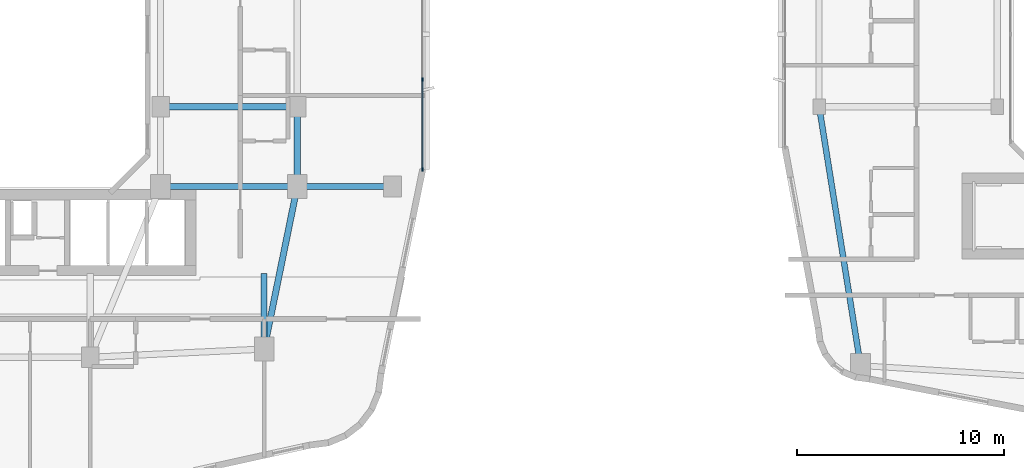
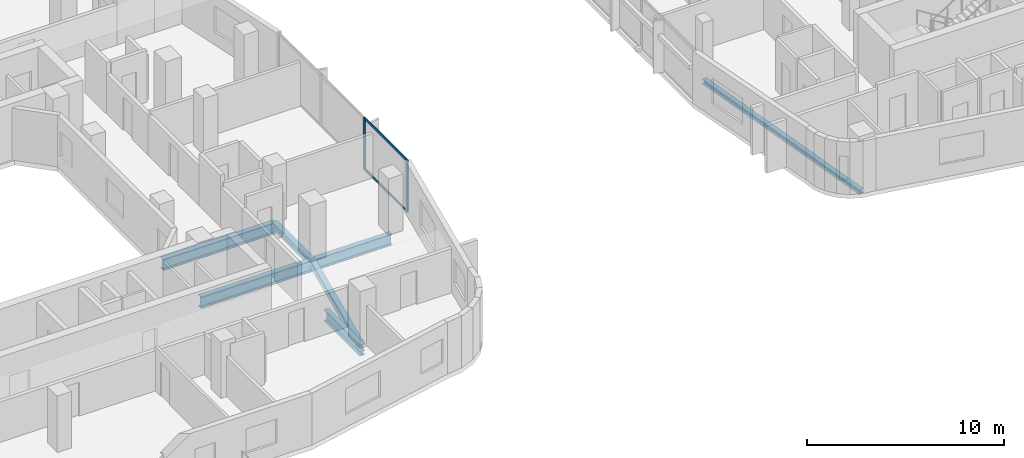
# One storey, part 3 of 24: 7 beams, 4 members, 1 element without a shape of its own.
"""IFC4 building model written with IfcOpenShell, lengths in metres."""

import ifcopenshell
import ifcopenshell.guid

model = None  # the IFC model being written
_history = None  # IfcOwnerHistory: only IFC2X3 demands one
_inside = {}  # id of a spatial element -> (the spatial element, [elements in it])
_under = {}  # id of a project, library or spatial element -> (it, [spatial elements below it])
_declared = {}  # id of a project -> (the project, [libraries it declares])
_typed = {}  # id of a type object -> (the type object, [elements of that type])
_made_of = {}  # id of a material, layer set ... -> (it, [elements and type objects made of it])


def new_model(schema):
    """Start an empty IFC model of exactly this schema.

    Asked for "IFC4X3", IfcOpenShell would pick the latest addendum, in which some entities
    have other attributes; the version numbers below select the first issue.
    IFC2X3 requires an IfcOwnerHistory on every rooted entity: one is made here for all.
    """
    global model, _history
    if schema == "IFC4X3":
        model = ifcopenshell.file(schema_version=(4, 3, 0, 0))
    else:
        model = ifcopenshell.file(schema=schema)
    _inside.clear()
    _under.clear()
    _declared.clear()
    _typed.clear()
    _made_of.clear()
    _history = None
    if model.schema == "IFC2X3":
        org = make("IfcOrganization", Name="unknown")
        user = make(
            "IfcPersonAndOrganization",
            ThePerson=make("IfcPerson", FamilyName="unknown"),
            TheOrganization=org,
        )
        app = make(
            "IfcApplication",
            ApplicationDeveloper=org,
            Version="unknown",
            ApplicationFullName="unknown",
            ApplicationIdentifier="unknown",
        )
        _history = make(
            "IfcOwnerHistory",
            OwningUser=user,
            OwningApplication=app,
            ChangeAction="ADDED",
            CreationDate=0,
        )
    return model


def make(cls, **values):
    """One entity of the class cls with the attributes given. An attribute that is None is left unset."""
    return model.create_entity(
        cls, **{name: value for name, value in values.items() if value is not None}
    )


def rooted(cls, **values):
    """An entity with a GlobalId (a new one), such as an element, a storey or a relation."""
    return make(cls, GlobalId=ifcopenshell.guid.new(), OwnerHistory=_history, **values)


def si_unit(unit_type, name, prefix=None):
    """IfcSIUnit, for example si_unit("LENGTHUNIT", "METRE", prefix="MILLI")."""
    return make("IfcSIUnit", UnitType=unit_type, Prefix=prefix, Name=name)


def derived_unit(unit_type, elements):
    """IfcDerivedUnit: a product of units, each with its exponent."""
    return make(
        "IfcDerivedUnit",
        Elements=[
            make("IfcDerivedUnitElement", Unit=unit, Exponent=power)
            for unit, power in elements
        ],
        UnitType=unit_type,
    )


def assignment(units):
    """IfcUnitAssignment: the units of a project."""
    return None if units is None else make("IfcUnitAssignment", Units=units)


def point(xyz):
    """IfcCartesianPoint."""
    return None if xyz is None else make("IfcCartesianPoint", Coordinates=xyz)


def direction(xyz):
    """IfcDirection."""
    return None if xyz is None else make("IfcDirection", DirectionRatios=xyz)


def frame(location, z_axis=None, x_axis=None):
    """IfcAxis2Placement3D, a coordinate frame: its origin and axes. An axis left out is left unset."""
    return make(
        "IfcAxis2Placement3D",
        Location=point(location),
        Axis=direction(z_axis),
        RefDirection=direction(x_axis),
    )


def frame_2d(location, x_axis=None):
    """IfcAxis2Placement2D, a coordinate frame in the plane: its origin and x axis."""
    return make(
        "IfcAxis2Placement2D", Location=point(location), RefDirection=direction(x_axis)
    )


def origin():
    """The frame at (0, 0, 0) with its axes left unset."""
    return frame((0.0, 0.0, 0.0))


def origin_2d():
    """The frame at (0, 0) in the plane with its x axis left unset."""
    return frame_2d((0.0, 0.0))


def place(relative_to, where):
    """IfcLocalPlacement: puts the frame where relative to a parent placement (None: the world)."""
    return make(
        "IfcLocalPlacement", PlacementRelTo=relative_to, RelativePlacement=where
    )


def context(
    kind, dimensions, precision=None, world=None, true_north=None, identifier=None
):
    """IfcGeometricRepresentationContext, for example the 3D "Model" context."""
    return make(
        "IfcGeometricRepresentationContext",
        ContextIdentifier=identifier,
        ContextType=kind,
        CoordinateSpaceDimension=dimensions,
        Precision=precision,
        WorldCoordinateSystem=world,
        TrueNorth=true_north,
    )


def subcontext(parent, identifier, kind, view, scale=None):
    """IfcGeometricRepresentationSubContext, for example "Body" below "Model"."""
    return make(
        "IfcGeometricRepresentationSubContext",
        ContextIdentifier=identifier,
        ContextType=kind,
        ParentContext=parent,
        TargetScale=scale,
        TargetView=view,
    )


def project(units=None, contexts=None):
    """IfcProject with its units and contexts."""
    return rooted(
        "IfcProject",
        Name="project",
        RepresentationContexts=contexts,
        UnitsInContext=assignment(units),
    )


def spatial(cls, under=None, at=None, **own):
    """A site, building, storey or space (cls), placed at a placement, below another one or the project."""
    s = rooted(cls, ObjectPlacement=at, **own)
    if under is not None:
        _under.setdefault(under.id(), (under, []))[1].append(s)
    return s


def profile(cls, at=None, kind="AREA", **sizes):
    """A parametric profile (cls). Its sizes go by their IFC names, for example OverallWidth=200.0."""
    return make(cls, ProfileType=kind, Position=at, **sizes)


def rectangle(**sizes):
    """IfcRectangleProfileDef."""
    return profile("IfcRectangleProfileDef", **sizes)


def i_section(**sizes):
    """IfcIShapeProfileDef."""
    return profile("IfcIShapeProfileDef", **sizes)


def extrude(swept, where, along, depth):
    """IfcExtrudedAreaSolid: the profile swept, set in the frame where, extruded along a direction by depth."""
    return make(
        "IfcExtrudedAreaSolid",
        SweptArea=swept,
        Position=where,
        ExtrudedDirection=direction(along),
        Depth=depth,
    )


def shape(context_of_items, identifier, shape_type, items):
    """IfcShapeRepresentation: the items that make up one representation, for example the "Body"."""
    return make(
        "IfcShapeRepresentation",
        ContextOfItems=context_of_items,
        RepresentationIdentifier=identifier,
        RepresentationType=shape_type,
        Items=items,
    )


def material(Name=None, Category=None):
    """IfcMaterial."""
    return make("IfcMaterial", Name=Name, Category=Category)


def layer(
    of_material, thickness, ventilated=None, Name=None, Category=None, Priority=None
):
    """IfcMaterialLayer: one layer of a wall or slab, of a material (None: an air gap)."""
    return make(
        "IfcMaterialLayer",
        Material=of_material,
        LayerThickness=thickness,
        IsVentilated=ventilated,
        Name=Name,
        Category=Category,
        Priority=Priority,
    )


def layer_set(layers, Name=None):
    """IfcMaterialLayerSet."""
    return make("IfcMaterialLayerSet", MaterialLayers=layers, LayerSetName=Name)


def material_profile(
    of_material, cross_section, Name=None, Category=None, Priority=None
):
    """IfcMaterialProfile: a cross section and its material."""
    return make(
        "IfcMaterialProfile",
        Name=Name,
        Material=of_material,
        Profile=cross_section,
        Priority=Priority,
        Category=Category,
    )


def profile_set(profiles, Name=None, composite=None):
    """IfcMaterialProfileSet."""
    return make(
        "IfcMaterialProfileSet",
        Name=Name,
        MaterialProfiles=profiles,
        CompositeProfile=composite,
    )


def made_of(thing, what):
    """Note that an element or type object is made of a material, layer set ...; save() writes the relation."""
    if what is not None:
        _made_of.setdefault(what.id(), (what, []))[1].append(thing)
    return thing


def type_object(cls, material=None, **own):
    """A type object (cls), such as IfcWallType, which elements share."""
    return made_of(rooted(cls, **own), material)


def element(
    cls,
    number,
    at=None,
    inside=None,
    cuts=None,
    type_object=None,
    material=None,
    context=None,
    identifier="Body",
    shape_type=None,
    held_by="IfcProductDefinitionShape",
    body=None,
    shapes=None,
    **own,
):
    """One element of the class cls, such as IfcWall. Its Tag is "e" and its number.

    at: its placement. inside: the storey or other place that contains it. cuts: it is an
    opening in that element (IfcRelVoidsElement). A single representation is given by context,
    identifier, shape_type and body (its items); several are given by shapes. held_by: the class
    of the entity that holds the representations. save() writes the other relations.
    """
    e = rooted(cls, Tag="e%d" % number, ObjectPlacement=at, **own)
    if body is not None:
        shapes = [shape(context, identifier, shape_type, body)]
    if shapes is not None:
        e.Representation = make(held_by, Representations=shapes)
    if inside is not None:
        _inside.setdefault(inside.id(), (inside, []))[1].append(e)
    if cuts is not None:
        rooted(
            "IfcRelVoidsElement", RelatingBuildingElement=cuts, RelatedOpeningElement=e
        )
    if type_object is not None:
        _typed.setdefault(type_object.id(), (type_object, []))[1].append(e)
    return made_of(e, material)


def aggregate(whole, parts):
    """IfcRelAggregates: a whole, such as a stair, and the parts it consists of."""
    return rooted("IfcRelAggregates", RelatingObject=whole, RelatedObjects=parts)


def save(model, path):
    """Write the relations noted so far, then the file.

    IfcRelAggregates (storeys below a building ...), IfcRelContainedInSpatialStructure (elements
    in a storey), IfcRelDefinesByType, IfcRelAssociatesMaterial and IfcRelDeclares: one each for
    every whole, place, type object, material and project.
    """
    for whole, parts in _under.values():
        aggregate(whole, parts)
    for where, things in _inside.values():
        rooted(
            "IfcRelContainedInSpatialStructure",
            RelatedElements=things,
            RelatingStructure=where,
        )
    for kind, things in _typed.values():
        rooted("IfcRelDefinesByType", RelatedObjects=things, RelatingType=kind)
    for what, things in _made_of.values():
        rooted("IfcRelAssociatesMaterial", RelatedObjects=things, RelatingMaterial=what)
    for by, libraries in _declared.values():
        rooted("IfcRelDeclares", RelatingContext=by, RelatedDefinitions=libraries)
    model.write(path)


model = new_model("IFC4")

# Units and contexts
model_context = context("Model", 3, precision=1e-05, world=origin(), true_north=direction((0.0, 1.0)))
body_context = subcontext(model_context, "Body", "Model", "MODEL_VIEW")
ifc_project = project(units=[si_unit("LENGTHUNIT", "METRE"), si_unit("AREAUNIT", "SQUARE_METRE"), si_unit("VOLUMEUNIT", "CUBIC_METRE"), si_unit("PLANEANGLEUNIT", "RADIAN"), si_unit("MASSUNIT", "GRAM", prefix="KILO"), derived_unit("THERMALTRANSMITTANCEUNIT", [(si_unit("POWERUNIT", "WATT"), 1), (si_unit("LENGTHUNIT", "METRE"), -2), (si_unit("THERMODYNAMICTEMPERATUREUNIT", "KELVIN"), -1)])], contexts=[model_context])

# Site, building, storey
site_placement = place(None, origin())
site = spatial("IfcSite", under=ifc_project, at=site_placement, CompositionType="ELEMENT")
building_placement = place(site_placement, origin())
building = spatial("IfcBuilding", under=site, at=building_placement, Name="Kivonza Crest Hotel", CompositionType="ELEMENT")
storey_placement = place(building_placement, frame((0.0, 0.0, 80.0)))
storey = spatial("IfcBuildingStorey", under=building, at=storey_placement, Name="L21", CompositionType="ELEMENT", Elevation=80.0)

# Beams
ifc_material_1 = material(Name="Steel S355", Category="steel")
ifc_material_profile_1 = material_profile(ifc_material_1, i_section(OverallWidth=0.280029296875, OverallDepth=0.280029296875, WebThickness=0.010498046875, FlangeThickness=0.01806640625, FilletRadius=0.02392578125, at=origin_2d()), Name="HEB 280")
ifc_profile_set_1 = profile_set([ifc_material_profile_1], Name="Steel S355")
beam_type_1 = type_object("IfcBeamType", Name="BM-HEB280", PredefinedType="SPANDREL", material=ifc_profile_set_1)
beam_1_placement = place(storey_placement, frame((61.0, 21.5, -0.389892578125), z_axis=(0.157990501107, -0.987440631917, 0.0), x_axis=(0.987440631917, 0.157990501107, 0.0)))
element("IfcBeam", 1, at=beam_1_placement, inside=storey, type_object=beam_type_1, Name="Companion Tower T2 L21 perimeter spandrel W1-SW", PredefinedType="SPANDREL", context=body_context, shape_type="SweptSolid", body=[
    extrude(i_section(OverallWidth=0.280029296875, OverallDepth=0.280029296875, WebThickness=0.010498046875, FlangeThickness=0.01806640625, FilletRadius=0.02392578125, at=origin_2d()), origin(), (0.0, 0.0, 1.0), 12.658935546875),
])
ifc_material_profile_2 = material_profile(ifc_material_1, i_section(OverallWidth=0.300048828125, OverallDepth=0.449951171875, WebThickness=0.013916015625, FlangeThickness=0.02587890625, FilletRadius=0.027099609375, at=origin_2d()), Name="HEB 450")
ifc_profile_set_2 = profile_set([ifc_material_profile_2], Name="Steel S355")
beam_type_2 = type_object("IfcBeamType", Name="BM-HEB450", PredefinedType="SPANDREL", material=ifc_profile_set_2)
beam_2_placement = place(storey_placement, frame((34.199951171875, 9.800048828125, -0.5048828125), z_axis=(0.199730733965, 0.979850822273, 0.0), x_axis=(-0.979850822273, 0.199730733965, 0.0)))
element("IfcBeam", 2, at=beam_2_placement, inside=storey, type_object=beam_type_2, Name="Tower T1 L21 perimeter spandrel SE-PSE", PredefinedType="SPANDREL", context=body_context, shape_type="SweptSolid", body=[
    extrude(i_section(OverallWidth=0.300048828125, OverallDepth=0.449951171875, WebThickness=0.013916015625, FlangeThickness=0.02587890625, FilletRadius=0.027099609375, at=origin_2d()), origin(), (0.0, 0.0, 1.0), 8.01123046875),
])
beam_3_placement = place(storey_placement, frame((35.800048828125, 17.64990234375, -0.5048828125), z_axis=(0.0, 1.0, 0.0), x_axis=(-1.0, 0.0, 0.0)))
element("IfcBeam", 3, at=beam_3_placement, inside=storey, type_object=beam_type_2, Name="Tower T1 L21 perimeter spandrel PSE-E1", PredefinedType="SPANDREL", context=body_context, shape_type="SweptSolid", body=[
    extrude(i_section(OverallWidth=0.300048828125, OverallDepth=0.449951171875, WebThickness=0.013916015625, FlangeThickness=0.02587890625, FilletRadius=0.027099609375, at=origin_2d()), origin(), (0.0, 0.0, 1.0), 3.85009765625),
])
ifc_material_profile_3 = material_profile(ifc_material_1, i_section(OverallWidth=0.300048828125, OverallDepth=0.699951171875, WebThickness=0.01708984375, FlangeThickness=0.031982421875, FilletRadius=0.027099609375, at=origin_2d()), Name="HEB 700")
ifc_profile_set_3 = profile_set([ifc_material_profile_3], Name="Steel S355")
beam_type_3 = type_object("IfcBeamType", Name="BM-HEB700", PredefinedType="BEAM", material=ifc_profile_set_3)
for number, where, z_axis, x_axis, name in (
    (4, (29.199951171875, 17.64990234375, -0.6298828125), (1.0, 0.0, 0.0), (0.0, 1.0, 0.0), "Tower T1 L21 primary girder TSE-PSE"),
    (5, (29.199951171875, 21.5, -0.6298828125), (1.0, 0.0, 0.0), (0.0, 1.0, 0.0), "Tower T1 L21 primary girder WR1-E1"),
):
    element("IfcBeam", number, at=place(storey_placement, frame(where, z_axis=z_axis, x_axis=x_axis)), inside=storey, type_object=beam_type_3, Name=name, PredefinedType="BEAM", context=body_context, shape_type="SweptSolid", body=[
        extrude(i_section(OverallWidth=0.300048828125, OverallDepth=0.699951171875, WebThickness=0.01708984375, FlangeThickness=0.031982421875, FilletRadius=0.027099609375, at=origin_2d()), origin(), (0.0, 0.0, 1.0), 6.60009765625),
    ])
beam_4_placement = place(storey_placement, frame((40.39990234375, 17.64990234375, -0.6298828125), z_axis=(-1.0, 0.0, 0.0), x_axis=(0.0, -1.0, 0.0)))
element("IfcBeam", 6, at=beam_4_placement, inside=storey, type_object=beam_type_3, Name="Tower T1 L21 outer bay girder ZE1", PredefinedType="BEAM", context=body_context, shape_type="SweptSolid", body=[
    extrude(i_section(OverallWidth=0.300048828125, OverallDepth=0.699951171875, WebThickness=0.01708984375, FlangeThickness=0.031982421875, FilletRadius=0.027099609375, at=origin_2d()), origin(), (0.0, 0.0, 1.0), 4.599853515625),
])
beam_5_placement = place(storey_placement, frame((34.199951171875, 9.800048828125, -0.6298828125), z_axis=(0.0, 1.0, 0.0), x_axis=(-1.0, 0.0, 0.0)))
element("IfcBeam", 7, at=beam_5_placement, inside=storey, type_object=beam_type_3, Name="Tower T1 L21 radial core girder RSE", PredefinedType="BEAM", context=body_context, shape_type="SweptSolid", body=[
    extrude(i_section(OverallWidth=0.300048828125, OverallDepth=0.699951171875, WebThickness=0.01708984375, FlangeThickness=0.031982421875, FilletRadius=0.027099609375, at=origin_2d()), origin(), (0.0, 0.0, 1.0), 3.64990234375),
])

# Curtain wall, members
ifc_material_2 = material(Name="Anodised bronze aluminium and low-E double glazing", Category="aluminium")
ifc_layer = layer(ifc_material_2, 0.179931640625)
ifc_layer_set = layer_set([ifc_layer], Name="Anodised bronze aluminium and low-E double glazing")
curtain_wall_type = type_object("IfcCurtainWallType", Name="CW-SYS-2", PredefinedType="NOTDEFINED", material=ifc_layer_set)
curtain_wall_placement = place(storey_placement, origin())
curtain_wall = element("IfcCurtainWall", 8, at=curtain_wall_placement, inside=storey, type_object=curtain_wall_type, Name="L21 unitised curtain wall CW-T1-L21-17", PredefinedType="NOTDEFINED")
ifc_material_3 = material(Name="Anodised bronze aluminium", Category="aluminium")
ifc_material_profile_4 = material_profile(ifc_material_3, rectangle(XDim=0.06494140625, YDim=0.179931640625, at=origin_2d()), Name="CW-M 65x180")
ifc_profile_set_4 = profile_set([ifc_material_profile_4], Name="Anodised bronze aluminium")
member_type_1 = type_object("IfcMemberType", Name="CW-MUL-65x180", PredefinedType="MULLION", material=ifc_profile_set_4)
member_1_placement = place(storey_placement, frame((41.840087890625, 18.472412109375, 0.0), z_axis=(0.0, 0.0, 1.0), x_axis=(-1.0, 0.0, 0.0)))
member_1 = element("IfcMember", 9, at=member_1_placement, type_object=member_type_1, Name="CW-2 mullion 1", PredefinedType="MULLION", context=body_context, shape_type="SweptSolid", body=[
    extrude(rectangle(XDim=0.06494140625, YDim=0.179931640625, at=origin_2d()), origin(), (0.0, 0.0, 1.0), 3.219970703125),
])
member_2_placement = place(storey_placement, frame((41.840087890625, 22.813232421875, 0.0), z_axis=(0.0, 0.0, 1.0), x_axis=(-1.0, 0.0, 0.0)))
member_2 = element("IfcMember", 10, at=member_2_placement, type_object=member_type_1, Name="CW-2 mullion 2", PredefinedType="MULLION", context=body_context, shape_type="SweptSolid", body=[
    extrude(rectangle(XDim=0.06494140625, YDim=0.179931640625, at=origin_2d()), origin(), (0.0, 0.0, 1.0), 3.219970703125),
])
ifc_material_profile_5 = material_profile(ifc_material_3, rectangle(XDim=0.06494140625, YDim=0.139892578125, at=origin_2d()), Name="CW-T 65x140")
ifc_profile_set_5 = profile_set([ifc_material_profile_5], Name="Anodised bronze aluminium")
member_type_2 = type_object("IfcMemberType", Name="CW-TRN-65x140", PredefinedType="USERDEFINED", material=ifc_profile_set_5)
member_3_placement = place(storey_placement, frame((41.840087890625, 18.5048828125, 0.032470703125), z_axis=(0.0, 1.0, 0.0), x_axis=(-1.0, 0.0, 0.0)))
member_3 = element("IfcMember", 11, at=member_3_placement, type_object=member_type_2, Name="CW-2 transom 1.1", ObjectType="TRANSOM", PredefinedType="USERDEFINED", context=body_context, shape_type="SweptSolid", body=[
    extrude(rectangle(XDim=0.06494140625, YDim=0.139892578125, at=origin_2d()), origin(), (0.0, 0.0, 1.0), 4.27587890625),
])
member_4_placement = place(storey_placement, frame((41.840087890625, 18.5048828125, 3.1875), z_axis=(0.0, 1.0, 0.0), x_axis=(-1.0, 0.0, 0.0)))
member_4 = element("IfcMember", 12, at=member_4_placement, type_object=member_type_2, Name="CW-2 transom 1.2", ObjectType="TRANSOM", PredefinedType="USERDEFINED", context=body_context, shape_type="SweptSolid", body=[
    extrude(rectangle(XDim=0.06494140625, YDim=0.139892578125, at=origin_2d()), origin(), (0.0, 0.0, 1.0), 4.27587890625),
])
aggregate(curtain_wall, [member_1, member_2, member_3, member_4])

save(model, "model.ifc")
